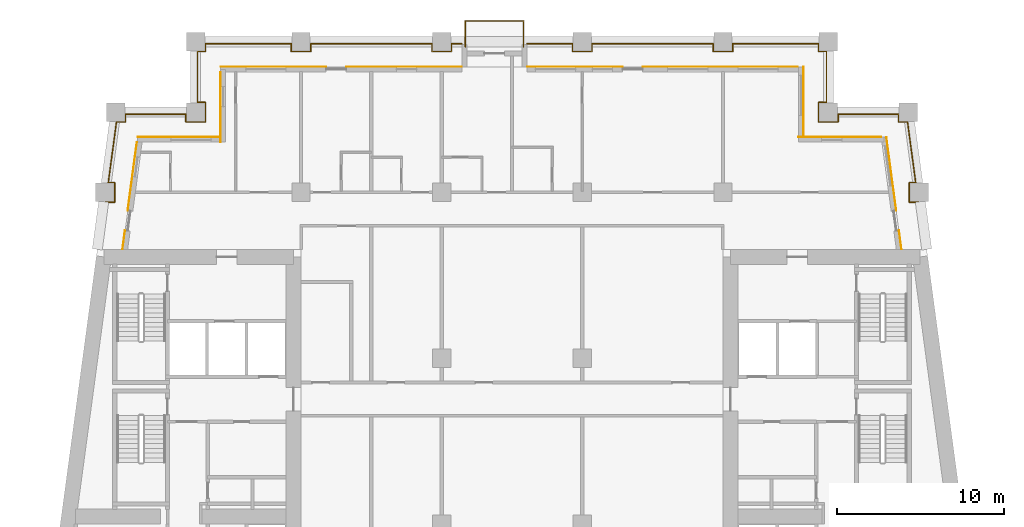
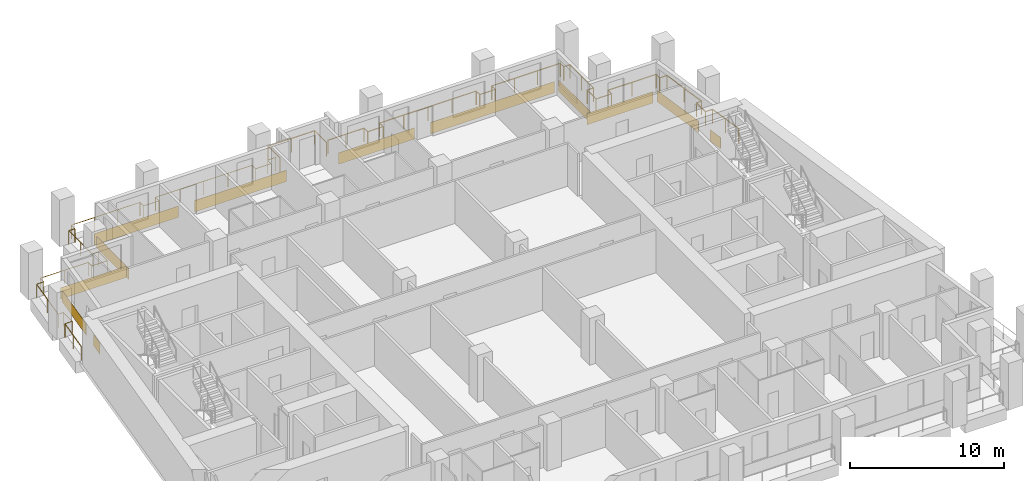
# One storey, part 11 of 12: 12 coverings, 3 railings.
"""IFC4 building model written with IfcOpenShell, lengths in metres."""

from ifc_helpers import new_model, si_unit, direction, frame, origin, origin_2d, place, context, subcontext, project, spatial, rectangle, circle, extrude, material, layer, layer_set, type_object, element, save


model = new_model("IFC4")

# Units and contexts
model_context = context("Model", 3, precision=1e-05, world=origin(), true_north=direction((0.0, 1.0)))
body_context = subcontext(model_context, "Body", "Model", "MODEL_VIEW")
ifc_project = project(units=[si_unit("LENGTHUNIT", "METRE"), si_unit("AREAUNIT", "SQUARE_METRE"), si_unit("VOLUMEUNIT", "CUBIC_METRE"), si_unit("PLANEANGLEUNIT", "RADIAN"), si_unit("MASSUNIT", "GRAM", prefix="KILO")], contexts=[model_context])

# Site, building, storey
site_placement = place(None, origin())
site = spatial("IfcSite", under=ifc_project, at=site_placement, CompositionType="ELEMENT")
building_placement = place(site_placement, origin())
building = spatial("IfcBuilding", under=site, at=building_placement, Name="Candeia Pilgrim Tower and Theatre", CompositionType="ELEMENT")
storey_placement = place(building_placement, frame((0.0, 0.0, 184.800048828125)))
storey = spatial("IfcBuildingStorey", under=building, at=storey_placement, Name="L44", CompositionType="ELEMENT", Elevation=184.800048828125)

# Railings
ifc_material_1 = material(Name="Stainless steel balustrade", Category="steel")
railing_type = type_object("IfcRailingType", Name="G1 loggia guard 1100", PredefinedType="GUARDRAIL", material=ifc_material_1)
railing_1_placement = place(storey_placement, frame((88.758544921875, 132.449951171875, 0.0)))
element("IfcRailing", 1, at=railing_1_placement, inside=storey, type_object=railing_type, Name="Guard L44.2", PredefinedType="GUARDRAIL", context=body_context, shape_type="SweptSolid", body=[
    extrude(circle(Radius=0.02392578125, at=origin_2d()), frame((0.0, 0.0, 1.076171875), z_axis=(0.133382313969, 0.991064659001, 0.0), x_axis=(-0.991064659001, 0.133382313969, 0.0)), (0.0, 0.0, 1.0), 2.794921875),
    extrude(circle(Radius=0.02392578125, at=origin_2d()), frame((0.372802734375, 2.77001953125, 1.076171875), z_axis=(1.0, 0.0, 0.0), x_axis=(0.0, 1.0, 0.0)), (0.0, 0.0, 1.0), 0.537109375),
    extrude(circle(Radius=0.02392578125, at=origin_2d()), frame((0.909912109375, 2.77001953125, 1.076171875), z_axis=(0.0, 1.0, 0.0), x_axis=(-1.0, 0.0, 0.0)), (0.0, 0.0, 1.0), 1.159912109375),
    extrude(circle(Radius=0.02392578125, at=origin_2d()), frame((0.909912109375, 3.929931640625, 1.076171875), z_axis=(-1.0, 0.0, 0.0), x_axis=(0.0, -1.0, 0.0)), (0.0, 0.0, 1.0), 0.380859375),
    extrude(circle(Radius=0.02392578125, at=origin_2d()), frame((0.529052734375, 3.929931640625, 1.076171875), z_axis=(0.133404479078, 0.99106167566, 0.0), x_axis=(-0.99106167566, 0.133404479078, 0.0)), (0.0, 0.0, 1.0), 3.6728515625),
    extrude(circle(Radius=0.02392578125, at=origin_2d()), frame((1.01904296875, 7.570068359375, 1.076171875), z_axis=(1.0, 0.0, 0.0), x_axis=(0.0, 1.0, 0.0)), (0.0, 0.0, 1.0), 0.537109375),
    extrude(circle(Radius=0.02392578125, at=origin_2d()), frame((1.55615234375, 7.570068359375, 1.076171875), z_axis=(0.0, 1.0, 0.0), x_axis=(-1.0, 0.0, 0.0)), (0.0, 0.0, 1.0), 0.4599609375),
    extrude(circle(Radius=0.02392578125, at=origin_2d()), frame((1.55615234375, 8.030029296875, 1.076171875), z_axis=(1.0, 0.0, 0.0), x_axis=(0.0, 1.0, 0.0)), (0.0, 0.0, 1.0), 3.605224609375),
    extrude(circle(Radius=0.02392578125, at=origin_2d()), frame((5.161376953125, 8.030029296875, 1.076171875), z_axis=(0.0, -1.0, 0.0), x_axis=(1.0, 0.0, 0.0)), (0.0, 0.0, 1.0), 0.4599609375),
    extrude(circle(Radius=0.02392578125, at=origin_2d()), frame((5.161376953125, 7.570068359375, 1.076171875), z_axis=(1.0, 0.0, 0.0), x_axis=(0.0, 1.0, 0.0)), (0.0, 0.0, 1.0), 1.16015625),
    extrude(circle(Radius=0.02392578125, at=origin_2d()), frame((6.321533203125, 7.570068359375, 1.076171875), z_axis=(0.0, 1.0, 0.0), x_axis=(-1.0, 0.0, 0.0)), (0.0, 0.0, 1.0), 1.159912109375),
    extrude(circle(Radius=0.02392578125, at=origin_2d()), frame((6.321533203125, 8.72998046875, 1.076171875), z_axis=(-1.0, 0.0, 0.0), x_axis=(0.0, -1.0, 0.0)), (0.0, 0.0, 1.0), 0.4599609375),
    extrude(circle(Radius=0.02392578125, at=origin_2d()), frame((5.861572265625, 8.72998046875, 1.076171875), z_axis=(0.0, 1.0, 0.0), x_axis=(-1.0, 0.0, 0.0)), (0.0, 0.0, 1.0), 3.0400390625),
    extrude(circle(Radius=0.02392578125, at=origin_2d()), frame((5.861572265625, 11.77001953125, 1.076171875), z_axis=(1.0, 0.0, 0.0), x_axis=(0.0, 1.0, 0.0)), (0.0, 0.0, 1.0), 0.4599609375),
    extrude(circle(Radius=0.02392578125, at=origin_2d()), frame((6.321533203125, 11.77001953125, 1.076171875), z_axis=(0.0, 1.0, 0.0), x_axis=(-1.0, 0.0, 0.0)), (0.0, 0.0, 1.0), 0.4599609375),
    extrude(circle(Radius=0.02392578125, at=origin_2d()), frame((6.321533203125, 12.22998046875, 1.076171875), z_axis=(1.0, 0.0, 0.0), x_axis=(0.0, 1.0, 0.0)), (0.0, 0.0, 1.0), 5.139892578125),
    extrude(circle(Radius=0.02392578125, at=origin_2d()), frame((11.46142578125, 12.22998046875, 1.076171875), z_axis=(0.0, -1.0, 0.0), x_axis=(1.0, 0.0, 0.0)), (0.0, 0.0, 1.0), 0.4599609375),
    extrude(circle(Radius=0.02392578125, at=origin_2d()), frame((11.46142578125, 11.77001953125, 1.076171875), z_axis=(1.0, 0.0, 0.0), x_axis=(0.0, 1.0, 0.0)), (0.0, 0.0, 1.0), 1.159912109375),
    extrude(circle(Radius=0.02392578125, at=origin_2d()), frame((12.621337890625, 11.77001953125, 1.076171875), z_axis=(0.0, 1.0, 0.0), x_axis=(-1.0, 0.0, 0.0)), (0.0, 0.0, 1.0), 0.4599609375),
    extrude(circle(Radius=0.02392578125, at=origin_2d()), frame((12.621337890625, 12.22998046875, 1.076171875), z_axis=(1.0, 0.0, 0.0), x_axis=(0.0, 1.0, 0.0)), (0.0, 0.0, 1.0), 7.240234375),
    extrude(circle(Radius=0.02392578125, at=origin_2d()), frame((19.861572265625, 12.22998046875, 1.076171875), z_axis=(0.0, -1.0, 0.0), x_axis=(1.0, 0.0, 0.0)), (0.0, 0.0, 1.0), 0.4599609375),
    extrude(circle(Radius=0.02392578125, at=origin_2d()), frame((19.861572265625, 11.77001953125, 1.076171875), z_axis=(1.0, 0.0, 0.0), x_axis=(0.0, 1.0, 0.0)), (0.0, 0.0, 1.0), 1.159912109375),
    extrude(circle(Radius=0.02392578125, at=origin_2d()), frame((21.021484375, 11.77001953125, 1.076171875), z_axis=(0.0, 1.0, 0.0), x_axis=(-1.0, 0.0, 0.0)), (0.0, 0.0, 1.0), 0.4599609375),
    extrude(circle(Radius=0.02392578125, at=origin_2d()), frame((21.021484375, 12.22998046875, 1.076171875), z_axis=(1.0, 0.0, 0.0), x_axis=(0.0, 1.0, 0.0)), (0.0, 0.0, 1.0), 0.619873046875),
    extrude(circle(Radius=0.02099609375, at=origin_2d()), origin(), (0.0, 0.0, 1.0), 1.052001953125),
    extrude(circle(Radius=0.02099609375, at=origin_2d()), frame((0.1865234375, 1.385009765625, 0.0)), (0.0, 0.0, 1.0), 1.052001953125),
    extrude(circle(Radius=0.02099609375, at=origin_2d()), frame((0.372802734375, 2.77001953125, 0.0)), (0.0, 0.0, 1.0), 1.052001953125),
    extrude(circle(Radius=0.02099609375, at=origin_2d()), frame((0.909912109375, 2.77001953125, 0.0)), (0.0, 0.0, 1.0), 1.052001953125),
    extrude(circle(Radius=0.02099609375, at=origin_2d()), frame((0.909912109375, 3.929931640625, 0.0)), (0.0, 0.0, 1.0), 1.052001953125),
    extrude(circle(Radius=0.02099609375, at=origin_2d()), frame((0.529052734375, 3.929931640625, 0.0)), (0.0, 0.0, 1.0), 1.052001953125),
    extrude(circle(Radius=0.02099609375, at=origin_2d()), frame((0.77392578125, 5.75, 0.0)), (0.0, 0.0, 1.0), 1.052001953125),
    extrude(circle(Radius=0.02099609375, at=origin_2d()), frame((1.01904296875, 7.570068359375, 0.0)), (0.0, 0.0, 1.0), 1.052001953125),
    extrude(circle(Radius=0.02099609375, at=origin_2d()), frame((1.55615234375, 7.570068359375, 0.0)), (0.0, 0.0, 1.0), 1.052001953125),
    extrude(circle(Radius=0.02099609375, at=origin_2d()), frame((1.55615234375, 8.030029296875, 0.0)), (0.0, 0.0, 1.0), 1.052001953125),
    extrude(circle(Radius=0.02099609375, at=origin_2d()), frame((3.35888671875, 8.030029296875, 0.0)), (0.0, 0.0, 1.0), 1.052001953125),
    extrude(circle(Radius=0.02099609375, at=origin_2d()), frame((5.161376953125, 8.030029296875, 0.0)), (0.0, 0.0, 1.0), 1.052001953125),
    extrude(circle(Radius=0.02099609375, at=origin_2d()), frame((5.161376953125, 7.570068359375, 0.0)), (0.0, 0.0, 1.0), 1.052001953125),
    extrude(circle(Radius=0.02099609375, at=origin_2d()), frame((6.321533203125, 7.570068359375, 0.0)), (0.0, 0.0, 1.0), 1.052001953125),
    extrude(circle(Radius=0.02099609375, at=origin_2d()), frame((6.321533203125, 8.72998046875, 0.0)), (0.0, 0.0, 1.0), 1.052001953125),
    extrude(circle(Radius=0.02099609375, at=origin_2d()), frame((5.861572265625, 8.72998046875, 0.0)), (0.0, 0.0, 1.0), 1.052001953125),
    extrude(circle(Radius=0.02099609375, at=origin_2d()), frame((5.861572265625, 10.25, 0.0)), (0.0, 0.0, 1.0), 1.052001953125),
    extrude(circle(Radius=0.02099609375, at=origin_2d()), frame((5.861572265625, 11.77001953125, 0.0)), (0.0, 0.0, 1.0), 1.052001953125),
    extrude(circle(Radius=0.02099609375, at=origin_2d()), frame((6.321533203125, 11.77001953125, 0.0)), (0.0, 0.0, 1.0), 1.052001953125),
    extrude(circle(Radius=0.02099609375, at=origin_2d()), frame((6.321533203125, 12.22998046875, 0.0)), (0.0, 0.0, 1.0), 1.052001953125),
    extrude(circle(Radius=0.02099609375, at=origin_2d()), frame((8.034912109375, 12.22998046875, 0.0)), (0.0, 0.0, 1.0), 1.052001953125),
    extrude(circle(Radius=0.02099609375, at=origin_2d()), frame((9.748046875, 12.22998046875, 0.0)), (0.0, 0.0, 1.0), 1.052001953125),
    extrude(circle(Radius=0.02099609375, at=origin_2d()), frame((11.46142578125, 12.22998046875, 0.0)), (0.0, 0.0, 1.0), 1.052001953125),
    extrude(circle(Radius=0.02099609375, at=origin_2d()), frame((11.46142578125, 11.77001953125, 0.0)), (0.0, 0.0, 1.0), 1.052001953125),
    extrude(circle(Radius=0.02099609375, at=origin_2d()), frame((12.621337890625, 11.77001953125, 0.0)), (0.0, 0.0, 1.0), 1.052001953125),
    extrude(circle(Radius=0.02099609375, at=origin_2d()), frame((12.621337890625, 12.22998046875, 0.0)), (0.0, 0.0, 1.0), 1.052001953125),
    extrude(circle(Radius=0.02099609375, at=origin_2d()), frame((14.431396484375, 12.22998046875, 0.0)), (0.0, 0.0, 1.0), 1.052001953125),
    extrude(circle(Radius=0.02099609375, at=origin_2d()), frame((16.241455078125, 12.22998046875, 0.0)), (0.0, 0.0, 1.0), 1.052001953125),
    extrude(circle(Radius=0.02099609375, at=origin_2d()), frame((18.051513671875, 12.22998046875, 0.0)), (0.0, 0.0, 1.0), 1.052001953125),
    extrude(circle(Radius=0.02099609375, at=origin_2d()), frame((19.861572265625, 12.22998046875, 0.0)), (0.0, 0.0, 1.0), 1.052001953125),
    extrude(circle(Radius=0.02099609375, at=origin_2d()), frame((19.861572265625, 11.77001953125, 0.0)), (0.0, 0.0, 1.0), 1.052001953125),
    extrude(circle(Radius=0.02099609375, at=origin_2d()), frame((21.021484375, 11.77001953125, 0.0)), (0.0, 0.0, 1.0), 1.052001953125),
    extrude(circle(Radius=0.02099609375, at=origin_2d()), frame((21.021484375, 12.22998046875, 0.0)), (0.0, 0.0, 1.0), 1.052001953125),
    extrude(circle(Radius=0.02099609375, at=origin_2d()), frame((21.641357421875, 12.22998046875, 0.0)), (0.0, 0.0, 1.0), 1.052001953125),
])
railing_2_placement = place(storey_placement, frame((114.300048828125, 144.679931640625, 0.0)))
element("IfcRailing", 2, at=railing_2_placement, inside=storey, type_object=railing_type, Name="Guard L44.3", PredefinedType="GUARDRAIL", context=body_context, shape_type="SweptSolid", body=[
    extrude(circle(Radius=0.02392578125, at=origin_2d()), frame((0.0, 0.0, 1.076171875), z_axis=(1.0, 0.0, 0.0), x_axis=(0.0, 1.0, 0.0)), (0.0, 0.0, 1.0), 2.719970703125),
    extrude(circle(Radius=0.02392578125, at=origin_2d()), frame((2.719970703125, 0.0, 1.076171875), z_axis=(0.0, -1.0, 0.0), x_axis=(1.0, 0.0, 0.0)), (0.0, 0.0, 1.0), 0.4599609375),
    extrude(circle(Radius=0.02392578125, at=origin_2d()), frame((2.719970703125, -0.4599609375, 1.076171875), z_axis=(1.0, 0.0, 0.0), x_axis=(0.0, 1.0, 0.0)), (0.0, 0.0, 1.0), 1.159912109375),
    extrude(circle(Radius=0.02392578125, at=origin_2d()), frame((3.8798828125, -0.4599609375, 1.076171875), z_axis=(0.0, 1.0, 0.0), x_axis=(-1.0, 0.0, 0.0)), (0.0, 0.0, 1.0), 0.4599609375),
    extrude(circle(Radius=0.02392578125, at=origin_2d()), frame((3.8798828125, 0.0, 1.076171875), z_axis=(1.0, 0.0, 0.0), x_axis=(0.0, 1.0, 0.0)), (0.0, 0.0, 1.0), 7.239990234375),
    extrude(circle(Radius=0.02392578125, at=origin_2d()), frame((11.119873046875, 0.0, 1.076171875), z_axis=(0.0, -1.0, 0.0), x_axis=(1.0, 0.0, 0.0)), (0.0, 0.0, 1.0), 0.4599609375),
    extrude(circle(Radius=0.02392578125, at=origin_2d()), frame((11.119873046875, -0.4599609375, 1.076171875), z_axis=(1.0, 0.0, 0.0), x_axis=(0.0, 1.0, 0.0)), (0.0, 0.0, 1.0), 1.16015625),
    extrude(circle(Radius=0.02392578125, at=origin_2d()), frame((12.280029296875, -0.4599609375, 1.076171875), z_axis=(0.0, 1.0, 0.0), x_axis=(-1.0, 0.0, 0.0)), (0.0, 0.0, 1.0), 0.4599609375),
    extrude(circle(Radius=0.02392578125, at=origin_2d()), frame((12.280029296875, 0.0, 1.076171875), z_axis=(1.0, 0.0, 0.0), x_axis=(0.0, 1.0, 0.0)), (0.0, 0.0, 1.0), 5.139892578125),
    extrude(circle(Radius=0.02392578125, at=origin_2d()), frame((17.419921875, 0.0, 1.076171875), z_axis=(0.0, -1.0, 0.0), x_axis=(1.0, 0.0, 0.0)), (0.0, 0.0, 1.0), 0.4599609375),
    extrude(circle(Radius=0.02392578125, at=origin_2d()), frame((17.419921875, -0.4599609375, 1.076171875), z_axis=(1.0, 0.0, 0.0), x_axis=(0.0, 1.0, 0.0)), (0.0, 0.0, 1.0), 0.4599609375),
    extrude(circle(Radius=0.02392578125, at=origin_2d()), frame((17.8798828125, -0.4599609375, 1.076171875), z_axis=(0.0, -1.0, 0.0), x_axis=(1.0, 0.0, 0.0)), (0.0, 0.0, 1.0), 3.0400390625),
    extrude(circle(Radius=0.02392578125, at=origin_2d()), frame((17.8798828125, -3.5, 1.076171875), z_axis=(-1.0, 0.0, 0.0), x_axis=(0.0, -1.0, 0.0)), (0.0, 0.0, 1.0), 0.4599609375),
    extrude(circle(Radius=0.02392578125, at=origin_2d()), frame((17.419921875, -3.5, 1.076171875), z_axis=(0.0, -1.0, 0.0), x_axis=(1.0, 0.0, 0.0)), (0.0, 0.0, 1.0), 1.159912109375),
    extrude(circle(Radius=0.02392578125, at=origin_2d()), frame((17.419921875, -4.659912109375, 1.076171875), z_axis=(1.0, 0.0, 0.0), x_axis=(0.0, 1.0, 0.0)), (0.0, 0.0, 1.0), 1.159912109375),
    extrude(circle(Radius=0.02392578125, at=origin_2d()), frame((18.579833984375, -4.659912109375, 1.076171875), z_axis=(0.0, 1.0, 0.0), x_axis=(-1.0, 0.0, 0.0)), (0.0, 0.0, 1.0), 0.4599609375),
    extrude(circle(Radius=0.02392578125, at=origin_2d()), frame((18.579833984375, -4.199951171875, 1.076171875), z_axis=(1.0, 0.0, 0.0), x_axis=(0.0, 1.0, 0.0)), (0.0, 0.0, 1.0), 3.60546875),
    extrude(circle(Radius=0.02392578125, at=origin_2d()), frame((22.185302734375, -4.199951171875, 1.076171875), z_axis=(0.0, -1.0, 0.0), x_axis=(1.0, 0.0, 0.0)), (0.0, 0.0, 1.0), 0.4599609375),
    extrude(circle(Radius=0.02392578125, at=origin_2d()), frame((22.185302734375, -4.659912109375, 1.076171875), z_axis=(1.0, 0.0, 0.0), x_axis=(0.0, 1.0, 0.0)), (0.0, 0.0, 1.0), 0.537109375),
    extrude(circle(Radius=0.02392578125, at=origin_2d()), frame((22.722412109375, -4.659912109375, 1.076171875), z_axis=(0.133404479078, -0.99106167566, 0.0), x_axis=(0.99106167566, 0.133404479078, 0.0)), (0.0, 0.0, 1.0), 3.6728515625),
    extrude(circle(Radius=0.02392578125, at=origin_2d()), frame((23.21240234375, -8.300048828125, 1.076171875), z_axis=(-1.0, 0.0, 0.0), x_axis=(0.0, -1.0, 0.0)), (0.0, 0.0, 1.0), 0.380859375),
    extrude(circle(Radius=0.02392578125, at=origin_2d()), frame((22.83154296875, -8.300048828125, 1.076171875), z_axis=(0.0, -1.0, 0.0), x_axis=(1.0, 0.0, 0.0)), (0.0, 0.0, 1.0), 1.159912109375),
    extrude(circle(Radius=0.02392578125, at=origin_2d()), frame((22.83154296875, -9.4599609375, 1.076171875), z_axis=(1.0, 0.0, 0.0), x_axis=(0.0, 1.0, 0.0)), (0.0, 0.0, 1.0), 0.536865234375),
    extrude(circle(Radius=0.02392578125, at=origin_2d()), frame((23.368408203125, -9.4599609375, 1.076171875), z_axis=(0.133468107709, -0.99105310868, 0.0), x_axis=(0.99105310868, 0.133468107709, 0.0)), (0.0, 0.0, 1.0), 2.794921875),
    extrude(circle(Radius=0.02099609375, at=origin_2d()), origin(), (0.0, 0.0, 1.0), 1.052001953125),
    extrude(circle(Radius=0.02099609375, at=origin_2d()), frame((1.35986328125, 0.0, 0.0)), (0.0, 0.0, 1.0), 1.052001953125),
    extrude(circle(Radius=0.02099609375, at=origin_2d()), frame((2.719970703125, 0.0, 0.0)), (0.0, 0.0, 1.0), 1.052001953125),
    extrude(circle(Radius=0.02099609375, at=origin_2d()), frame((2.719970703125, -0.4599609375, 0.0)), (0.0, 0.0, 1.0), 1.052001953125),
    extrude(circle(Radius=0.02099609375, at=origin_2d()), frame((3.8798828125, -0.4599609375, 0.0)), (0.0, 0.0, 1.0), 1.052001953125),
    extrude(circle(Radius=0.02099609375, at=origin_2d()), frame((3.8798828125, 0.0, 0.0)), (0.0, 0.0, 1.0), 1.052001953125),
    extrude(circle(Radius=0.02099609375, at=origin_2d()), frame((5.68994140625, 0.0, 0.0)), (0.0, 0.0, 1.0), 1.052001953125),
    extrude(circle(Radius=0.02099609375, at=origin_2d()), frame((7.5, 0.0, 0.0)), (0.0, 0.0, 1.0), 1.052001953125),
    extrude(circle(Radius=0.02099609375, at=origin_2d()), frame((9.309814453125, 0.0, 0.0)), (0.0, 0.0, 1.0), 1.052001953125),
    extrude(circle(Radius=0.02099609375, at=origin_2d()), frame((11.119873046875, 0.0, 0.0)), (0.0, 0.0, 1.0), 1.052001953125),
    extrude(circle(Radius=0.02099609375, at=origin_2d()), frame((11.119873046875, -0.4599609375, 0.0)), (0.0, 0.0, 1.0), 1.052001953125),
    extrude(circle(Radius=0.02099609375, at=origin_2d()), frame((12.280029296875, -0.4599609375, 0.0)), (0.0, 0.0, 1.0), 1.052001953125),
    extrude(circle(Radius=0.02099609375, at=origin_2d()), frame((12.280029296875, 0.0, 0.0)), (0.0, 0.0, 1.0), 1.052001953125),
    extrude(circle(Radius=0.02099609375, at=origin_2d()), frame((13.993408203125, 0.0, 0.0)), (0.0, 0.0, 1.0), 1.052001953125),
    extrude(circle(Radius=0.02099609375, at=origin_2d()), frame((15.70654296875, 0.0, 0.0)), (0.0, 0.0, 1.0), 1.052001953125),
    extrude(circle(Radius=0.02099609375, at=origin_2d()), frame((17.419921875, 0.0, 0.0)), (0.0, 0.0, 1.0), 1.052001953125),
    extrude(circle(Radius=0.02099609375, at=origin_2d()), frame((17.419921875, -0.4599609375, 0.0)), (0.0, 0.0, 1.0), 1.052001953125),
    extrude(circle(Radius=0.02099609375, at=origin_2d()), frame((17.8798828125, -0.4599609375, 0.0)), (0.0, 0.0, 1.0), 1.052001953125),
    extrude(circle(Radius=0.02099609375, at=origin_2d()), frame((17.8798828125, -1.97998046875, 0.0)), (0.0, 0.0, 1.0), 1.052001953125),
    extrude(circle(Radius=0.02099609375, at=origin_2d()), frame((17.8798828125, -3.5, 0.0)), (0.0, 0.0, 1.0), 1.052001953125),
    extrude(circle(Radius=0.02099609375, at=origin_2d()), frame((17.419921875, -3.5, 0.0)), (0.0, 0.0, 1.0), 1.052001953125),
    extrude(circle(Radius=0.02099609375, at=origin_2d()), frame((17.419921875, -4.659912109375, 0.0)), (0.0, 0.0, 1.0), 1.052001953125),
    extrude(circle(Radius=0.02099609375, at=origin_2d()), frame((18.579833984375, -4.659912109375, 0.0)), (0.0, 0.0, 1.0), 1.052001953125),
    extrude(circle(Radius=0.02099609375, at=origin_2d()), frame((18.579833984375, -4.199951171875, 0.0)), (0.0, 0.0, 1.0), 1.052001953125),
    extrude(circle(Radius=0.02099609375, at=origin_2d()), frame((20.382568359375, -4.199951171875, 0.0)), (0.0, 0.0, 1.0), 1.052001953125),
    extrude(circle(Radius=0.02099609375, at=origin_2d()), frame((22.185302734375, -4.199951171875, 0.0)), (0.0, 0.0, 1.0), 1.052001953125),
    extrude(circle(Radius=0.02099609375, at=origin_2d()), frame((22.185302734375, -4.659912109375, 0.0)), (0.0, 0.0, 1.0), 1.052001953125),
    extrude(circle(Radius=0.02099609375, at=origin_2d()), frame((22.722412109375, -4.659912109375, 0.0)), (0.0, 0.0, 1.0), 1.052001953125),
    extrude(circle(Radius=0.02099609375, at=origin_2d()), frame((22.96728515625, -6.47998046875, 0.0)), (0.0, 0.0, 1.0), 1.052001953125),
    extrude(circle(Radius=0.02099609375, at=origin_2d()), frame((23.21240234375, -8.300048828125, 0.0)), (0.0, 0.0, 1.0), 1.052001953125),
    extrude(circle(Radius=0.02099609375, at=origin_2d()), frame((22.83154296875, -8.300048828125, 0.0)), (0.0, 0.0, 1.0), 1.052001953125),
    extrude(circle(Radius=0.02099609375, at=origin_2d()), frame((22.83154296875, -9.4599609375, 0.0)), (0.0, 0.0, 1.0), 1.052001953125),
    extrude(circle(Radius=0.02099609375, at=origin_2d()), frame((23.368408203125, -9.4599609375, 0.0)), (0.0, 0.0, 1.0), 1.052001953125),
    extrude(circle(Radius=0.02099609375, at=origin_2d()), frame((23.554931640625, -10.844970703125, 0.0)), (0.0, 0.0, 1.0), 1.052001953125),
    extrude(circle(Radius=0.02099609375, at=origin_2d()), frame((23.741455078125, -12.22998046875, 0.0)), (0.0, 0.0, 1.0), 1.052001953125),
])
railing_3_placement = place(storey_placement, frame((110.610107421875, 144.5, 0.0)))
element("IfcRailing", 3, at=railing_3_placement, inside=storey, type_object=railing_type, Name="Balcony guard L44", PredefinedType="GUARDRAIL", context=body_context, shape_type="SweptSolid", body=[
    extrude(circle(Radius=0.02392578125, at=origin_2d()), frame((0.0, 0.0, 1.076171875), z_axis=(0.0, 1.0, 0.0), x_axis=(-1.0, 0.0, 0.0)), (0.0, 0.0, 1.0), 1.5400390625),
    extrude(circle(Radius=0.02392578125, at=origin_2d()), frame((0.0, 1.5400390625, 1.076171875), z_axis=(1.0, 0.0, 0.0), x_axis=(0.0, 1.0, 0.0)), (0.0, 0.0, 1.0), 3.47998046875),
    extrude(circle(Radius=0.02392578125, at=origin_2d()), frame((3.47998046875, 1.5400390625, 1.076171875), z_axis=(0.0, -1.0, 0.0), x_axis=(1.0, 0.0, 0.0)), (0.0, 0.0, 1.0), 1.5400390625),
    extrude(circle(Radius=0.02099609375, at=origin_2d()), origin(), (0.0, 0.0, 1.0), 1.052001953125),
    extrude(circle(Radius=0.02099609375, at=origin_2d()), frame((0.0, 1.5400390625, 0.0)), (0.0, 0.0, 1.0), 1.052001953125),
    extrude(circle(Radius=0.02099609375, at=origin_2d()), frame((1.739990234375, 1.5400390625, 0.0)), (0.0, 0.0, 1.0), 1.052001953125),
    extrude(circle(Radius=0.02099609375, at=origin_2d()), frame((3.47998046875, 1.5400390625, 0.0)), (0.0, 0.0, 1.0), 1.052001953125),
    extrude(circle(Radius=0.02099609375, at=origin_2d()), frame((3.47998046875, 0.0, 0.0)), (0.0, 0.0, 1.0), 1.052001953125),
])

# Coverings
ifc_material_2 = material(Name="Glazed ceramic tile rust")
ifc_layer = layer(ifc_material_2, 0.02001953125)
ifc_layer_set = layer_set([ifc_layer], Name="Glazed ceramic tile rust")
covering_type = type_object("IfcCoveringType", Name="Glazed ceramic tile rust", PredefinedType="CLADDING", material=ifc_layer_set)
covering_1_placement = place(storey_placement, frame((136.588623046875, 132.97412109375, 0.0), z_axis=(0.0, 0.0, 1.0), x_axis=(-0.133412012145, 0.991060661622, 0.0)))
element("IfcCovering", 4, at=covering_1_placement, inside=storey, type_object=covering_type, Name="Tile cladding rust L44", PredefinedType="CLADDING", context=body_context, shape_type="SweptSolid", body=[
    extrude(rectangle(XDim=1.115234375, YDim=0.02001953125, at=origin_2d()), origin(), (0.0, 0.0, 1.0), 0.89990234375),
])
covering_2_placement = place(storey_placement, frame((136.058837890625, 136.90869140625, 0.0), z_axis=(0.0, 0.0, 1.0), x_axis=(-0.133412012145, 0.991060661622, 0.0)))
element("IfcCovering", 5, at=covering_2_placement, inside=storey, type_object=covering_type, Name="Tile cladding rust L44", PredefinedType="CLADDING", context=body_context, shape_type="SweptSolid", body=[
    extrude(rectangle(XDim=4.4248046875, YDim=0.02001953125, at=origin_2d()), origin(), (0.0, 0.0, 1.0), 0.89990234375),
])
covering_3_placement = place(storey_placement, frame((132.976318359375, 139.110107421875, 0.0), z_axis=(0.0, 0.0, 1.0), x_axis=(-1.0, 0.0, 0.0)))
element("IfcCovering", 6, at=covering_3_placement, inside=storey, type_object=covering_type, Name="Tile cladding rust L44", PredefinedType="CLADDING", context=body_context, shape_type="SweptSolid", body=[
    extrude(rectangle(XDim=4.95263671875, YDim=0.02001953125, at=origin_2d()), origin(), (0.0, 0.0, 1.0), 0.89990234375),
])
covering_4_placement = place(storey_placement, frame((130.81005859375, 141.2099609375, 0.0), z_axis=(0.0, 0.0, 1.0), x_axis=(0.0, 1.0, 0.0)))
element("IfcCovering", 7, at=covering_4_placement, inside=storey, type_object=covering_type, Name="Tile cladding rust L44", PredefinedType="CLADDING", context=body_context, shape_type="SweptSolid", body=[
    extrude(rectangle(XDim=4.179931640625, YDim=0.02001953125, at=origin_2d()), origin(), (0.0, 0.0, 1.0), 0.89990234375),
])
covering_5_placement = place(storey_placement, frame((125.840087890625, 143.31005859375, 0.0), z_axis=(0.0, 0.0, 1.0), x_axis=(-1.0, 0.0, 0.0)))
element("IfcCovering", 8, at=covering_5_placement, inside=storey, type_object=covering_type, Name="Tile cladding rust L44", PredefinedType="CLADDING", context=body_context, shape_type="SweptSolid", body=[
    extrude(rectangle(XDim=9.280029296875, YDim=0.02001953125, at=origin_2d()), origin(), (0.0, 0.0, 1.0), 0.89990234375),
])
covering_6_placement = place(storey_placement, frame((117.14990234375, 143.31005859375, 0.0), z_axis=(0.0, 0.0, 1.0), x_axis=(-1.0, 0.0, 0.0)))
element("IfcCovering", 9, at=covering_6_placement, inside=storey, type_object=covering_type, Name="Tile cladding rust L44", PredefinedType="CLADDING", context=body_context, shape_type="SweptSolid", body=[
    extrude(rectangle(XDim=5.699951171875, YDim=0.02001953125, at=origin_2d()), origin(), (0.0, 0.0, 1.0), 0.89990234375),
])
covering_7_placement = place(storey_placement, frame((106.949951171875, 143.31005859375, 0.0), z_axis=(0.0, 0.0, 1.0), x_axis=(-1.0, 0.0, 0.0)))
element("IfcCovering", 10, at=covering_7_placement, inside=storey, type_object=covering_type, Name="Tile cladding rust L44", PredefinedType="CLADDING", context=body_context, shape_type="SweptSolid", body=[
    extrude(rectangle(XDim=6.89990234375, YDim=0.02001953125, at=origin_2d()), origin(), (0.0, 0.0, 1.0), 0.89990234375),
])
covering_8_placement = place(storey_placement, frame((99.14990234375, 143.31005859375, 0.0), z_axis=(0.0, 0.0, 1.0), x_axis=(-1.0, 0.0, 0.0)))
element("IfcCovering", 11, at=covering_8_placement, inside=storey, type_object=covering_type, Name="Tile cladding rust L44", PredefinedType="CLADDING", context=body_context, shape_type="SweptSolid", body=[
    extrude(rectangle(XDim=6.300048828125, YDim=0.02001953125, at=origin_2d()), origin(), (0.0, 0.0, 1.0), 0.89990234375),
])
covering_9_placement = place(storey_placement, frame((95.989990234375, 140.889892578125, 0.0), z_axis=(0.0, 0.0, 1.0), x_axis=(0.0, -1.0, 0.0)))
element("IfcCovering", 12, at=covering_9_placement, inside=storey, type_object=covering_type, Name="Tile cladding rust L44", PredefinedType="CLADDING", context=body_context, shape_type="SweptSolid", body=[
    extrude(rectangle(XDim=4.179931640625, YDim=0.02001953125, at=origin_2d()), origin(), (0.0, 0.0, 1.0), 0.89990234375),
])
covering_10_placement = place(storey_placement, frame((93.51318359375, 139.110107421875, 0.0), z_axis=(0.0, 0.0, 1.0), x_axis=(-1.0, 0.0, 0.0)))
element("IfcCovering", 13, at=covering_10_placement, inside=storey, type_object=covering_type, Name="Tile cladding rust L44", PredefinedType="CLADDING", context=body_context, shape_type="SweptSolid", body=[
    extrude(rectangle(XDim=4.933837890625, YDim=0.02001953125, at=origin_2d()), origin(), (0.0, 0.0, 1.0), 0.89990234375),
])
covering_11_placement = place(storey_placement, frame((90.720947265625, 136.759521484375, 0.0), z_axis=(0.0, 0.0, 1.0), x_axis=(-0.133412012145, -0.991060661622, 0.0)))
element("IfcCovering", 14, at=covering_11_placement, inside=storey, type_object=covering_type, Name="Tile cladding rust L44", PredefinedType="CLADDING", context=body_context, shape_type="SweptSolid", body=[
    extrude(rectangle(XDim=4.123779296875, YDim=0.02001953125, at=origin_2d()), origin(), (0.0, 0.0, 1.0), 0.89990234375),
])
covering_12_placement = place(storey_placement, frame((90.21142578125, 132.97412109375, 0.0), z_axis=(0.0, 0.0, 1.0), x_axis=(-0.133412012145, -0.991060661622, 0.0)))
element("IfcCovering", 15, at=covering_12_placement, inside=storey, type_object=covering_type, Name="Tile cladding rust L44", PredefinedType="CLADDING", context=body_context, shape_type="SweptSolid", body=[
    extrude(rectangle(XDim=1.115234375, YDim=0.02001953125, at=origin_2d()), origin(), (0.0, 0.0, 1.0), 0.89990234375),
])

save(model, "model.ifc")
